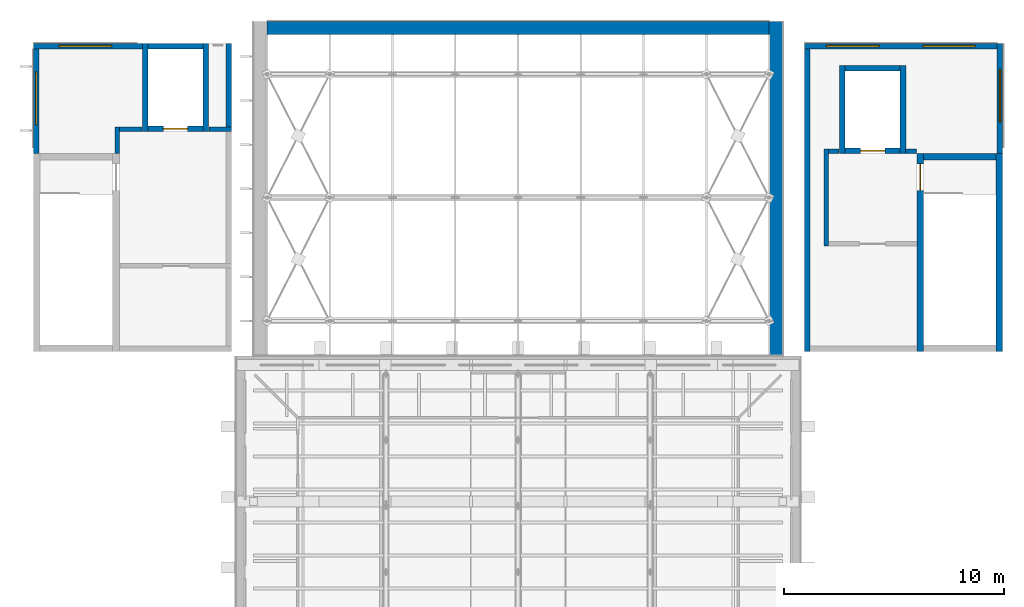
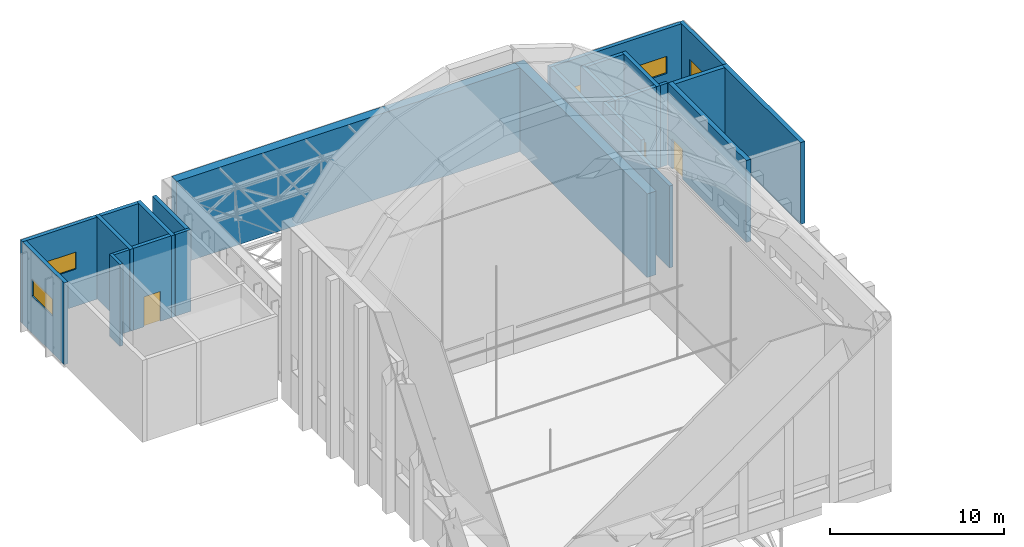
# One storey, part 47 of 55: 25 walls, 5 windows, 3 doors, 8 openings.
"""IFC4 building model written with IfcOpenShell, lengths in metres."""

import ifcopenshell
import ifcopenshell.guid

model = None  # the IFC model being written
_history = None  # IfcOwnerHistory: only IFC2X3 demands one
_inside = {}  # id of a spatial element -> (the spatial element, [elements in it])
_under = {}  # id of a project, library or spatial element -> (it, [spatial elements below it])
_declared = {}  # id of a project -> (the project, [libraries it declares])
_typed = {}  # id of a type object -> (the type object, [elements of that type])
_made_of = {}  # id of a material, layer set ... -> (it, [elements and type objects made of it])


def new_model(schema):
    """Start an empty IFC model of exactly this schema.

    Asked for "IFC4X3", IfcOpenShell would pick the latest addendum, in which some entities
    have other attributes; the version numbers below select the first issue.
    IFC2X3 requires an IfcOwnerHistory on every rooted entity: one is made here for all.
    """
    global model, _history
    if schema == "IFC4X3":
        model = ifcopenshell.file(schema_version=(4, 3, 0, 0))
    else:
        model = ifcopenshell.file(schema=schema)
    _inside.clear()
    _under.clear()
    _declared.clear()
    _typed.clear()
    _made_of.clear()
    _history = None
    if model.schema == "IFC2X3":
        org = make("IfcOrganization", Name="unknown")
        user = make(
            "IfcPersonAndOrganization",
            ThePerson=make("IfcPerson", FamilyName="unknown"),
            TheOrganization=org,
        )
        app = make(
            "IfcApplication",
            ApplicationDeveloper=org,
            Version="unknown",
            ApplicationFullName="unknown",
            ApplicationIdentifier="unknown",
        )
        _history = make(
            "IfcOwnerHistory",
            OwningUser=user,
            OwningApplication=app,
            ChangeAction="ADDED",
            CreationDate=0,
        )
    return model


def make(cls, **values):
    """One entity of the class cls with the attributes given. An attribute that is None is left unset."""
    return model.create_entity(
        cls, **{name: value for name, value in values.items() if value is not None}
    )


def rooted(cls, **values):
    """An entity with a GlobalId (a new one), such as an element, a storey or a relation."""
    return make(cls, GlobalId=ifcopenshell.guid.new(), OwnerHistory=_history, **values)


def si_unit(unit_type, name, prefix=None):
    """IfcSIUnit, for example si_unit("LENGTHUNIT", "METRE", prefix="MILLI")."""
    return make("IfcSIUnit", UnitType=unit_type, Prefix=prefix, Name=name)


def assignment(units):
    """IfcUnitAssignment: the units of a project."""
    return None if units is None else make("IfcUnitAssignment", Units=units)


def point(xyz):
    """IfcCartesianPoint."""
    return None if xyz is None else make("IfcCartesianPoint", Coordinates=xyz)


def direction(xyz):
    """IfcDirection."""
    return None if xyz is None else make("IfcDirection", DirectionRatios=xyz)


def frame(location, z_axis=None, x_axis=None):
    """IfcAxis2Placement3D, a coordinate frame: its origin and axes. An axis left out is left unset."""
    return make(
        "IfcAxis2Placement3D",
        Location=point(location),
        Axis=direction(z_axis),
        RefDirection=direction(x_axis),
    )


def frame_2d(location, x_axis=None):
    """IfcAxis2Placement2D, a coordinate frame in the plane: its origin and x axis."""
    return make(
        "IfcAxis2Placement2D", Location=point(location), RefDirection=direction(x_axis)
    )


def origin():
    """The frame at (0, 0, 0) with its axes left unset."""
    return frame((0.0, 0.0, 0.0))


def place(relative_to, where):
    """IfcLocalPlacement: puts the frame where relative to a parent placement (None: the world)."""
    return make(
        "IfcLocalPlacement", PlacementRelTo=relative_to, RelativePlacement=where
    )


def context(
    kind, dimensions, precision=None, world=None, true_north=None, identifier=None
):
    """IfcGeometricRepresentationContext, for example the 3D "Model" context."""
    return make(
        "IfcGeometricRepresentationContext",
        ContextIdentifier=identifier,
        ContextType=kind,
        CoordinateSpaceDimension=dimensions,
        Precision=precision,
        WorldCoordinateSystem=world,
        TrueNorth=true_north,
    )


def subcontext(parent, identifier, kind, view, scale=None):
    """IfcGeometricRepresentationSubContext, for example "Body" below "Model"."""
    return make(
        "IfcGeometricRepresentationSubContext",
        ContextIdentifier=identifier,
        ContextType=kind,
        ParentContext=parent,
        TargetScale=scale,
        TargetView=view,
    )


def project(units=None, contexts=None):
    """IfcProject with its units and contexts."""
    return rooted(
        "IfcProject",
        Name="project",
        RepresentationContexts=contexts,
        UnitsInContext=assignment(units),
    )


def spatial(cls, under=None, at=None, **own):
    """A site, building, storey or space (cls), placed at a placement, below another one or the project."""
    s = rooted(cls, ObjectPlacement=at, **own)
    if under is not None:
        _under.setdefault(under.id(), (under, []))[1].append(s)
    return s


def profile(cls, at=None, kind="AREA", **sizes):
    """A parametric profile (cls). Its sizes go by their IFC names, for example OverallWidth=200.0."""
    return make(cls, ProfileType=kind, Position=at, **sizes)


def rectangle(**sizes):
    """IfcRectangleProfileDef."""
    return profile("IfcRectangleProfileDef", **sizes)


def extrude(swept, where, along, depth):
    """IfcExtrudedAreaSolid: the profile swept, set in the frame where, extruded along a direction by depth."""
    return make(
        "IfcExtrudedAreaSolid",
        SweptArea=swept,
        Position=where,
        ExtrudedDirection=direction(along),
        Depth=depth,
    )


def shape(context_of_items, identifier, shape_type, items):
    """IfcShapeRepresentation: the items that make up one representation, for example the "Body"."""
    return make(
        "IfcShapeRepresentation",
        ContextOfItems=context_of_items,
        RepresentationIdentifier=identifier,
        RepresentationType=shape_type,
        Items=items,
    )


def material(Name=None, Category=None):
    """IfcMaterial."""
    return make("IfcMaterial", Name=Name, Category=Category)


def layer(
    of_material, thickness, ventilated=None, Name=None, Category=None, Priority=None
):
    """IfcMaterialLayer: one layer of a wall or slab, of a material (None: an air gap)."""
    return make(
        "IfcMaterialLayer",
        Material=of_material,
        LayerThickness=thickness,
        IsVentilated=ventilated,
        Name=Name,
        Category=Category,
        Priority=Priority,
    )


def layer_set(layers, Name=None):
    """IfcMaterialLayerSet."""
    return make("IfcMaterialLayerSet", MaterialLayers=layers, LayerSetName=Name)


def made_of(thing, what):
    """Note that an element or type object is made of a material, layer set ...; save() writes the relation."""
    if what is not None:
        _made_of.setdefault(what.id(), (what, []))[1].append(thing)
    return thing


def type_object(cls, material=None, **own):
    """A type object (cls), such as IfcWallType, which elements share."""
    return made_of(rooted(cls, **own), material)


def element(
    cls,
    number,
    at=None,
    inside=None,
    cuts=None,
    type_object=None,
    material=None,
    context=None,
    identifier="Body",
    shape_type=None,
    held_by="IfcProductDefinitionShape",
    body=None,
    shapes=None,
    **own,
):
    """One element of the class cls, such as IfcWall. Its Tag is "e" and its number.

    at: its placement. inside: the storey or other place that contains it. cuts: it is an
    opening in that element (IfcRelVoidsElement). A single representation is given by context,
    identifier, shape_type and body (its items); several are given by shapes. held_by: the class
    of the entity that holds the representations. save() writes the other relations.
    """
    e = rooted(cls, Tag="e%d" % number, ObjectPlacement=at, **own)
    if body is not None:
        shapes = [shape(context, identifier, shape_type, body)]
    if shapes is not None:
        e.Representation = make(held_by, Representations=shapes)
    if inside is not None:
        _inside.setdefault(inside.id(), (inside, []))[1].append(e)
    if cuts is not None:
        rooted(
            "IfcRelVoidsElement", RelatingBuildingElement=cuts, RelatedOpeningElement=e
        )
    if type_object is not None:
        _typed.setdefault(type_object.id(), (type_object, []))[1].append(e)
    return made_of(e, material)


def fill(opening, filler):
    """IfcRelFillsElement: the door or window that sits in an opening."""
    return rooted(
        "IfcRelFillsElement",
        RelatingOpeningElement=opening,
        RelatedBuildingElement=filler,
    )


def aggregate(whole, parts):
    """IfcRelAggregates: a whole, such as a stair, and the parts it consists of."""
    return rooted("IfcRelAggregates", RelatingObject=whole, RelatedObjects=parts)


def save(model, path):
    """Write the relations noted so far, then the file.

    IfcRelAggregates (storeys below a building ...), IfcRelContainedInSpatialStructure (elements
    in a storey), IfcRelDefinesByType, IfcRelAssociatesMaterial and IfcRelDeclares: one each for
    every whole, place, type object, material and project.
    """
    for whole, parts in _under.values():
        aggregate(whole, parts)
    for where, things in _inside.values():
        rooted(
            "IfcRelContainedInSpatialStructure",
            RelatedElements=things,
            RelatingStructure=where,
        )
    for kind, things in _typed.values():
        rooted("IfcRelDefinesByType", RelatedObjects=things, RelatingType=kind)
    for what, things in _made_of.values():
        rooted("IfcRelAssociatesMaterial", RelatedObjects=things, RelatingMaterial=what)
    for by, libraries in _declared.values():
        rooted("IfcRelDeclares", RelatingContext=by, RelatedDefinitions=libraries)
    model.write(path)


model = new_model("IFC4")

# Units and contexts
model_context = context("Model", 3, precision=1e-05, world=origin(), true_north=direction((0.0, 1.0)))
body_context = subcontext(model_context, "Body", "Model", "MODEL_VIEW")
ifc_project = project(units=[si_unit("LENGTHUNIT", "METRE"), si_unit("AREAUNIT", "SQUARE_METRE"), si_unit("VOLUMEUNIT", "CUBIC_METRE"), si_unit("PLANEANGLEUNIT", "RADIAN"), si_unit("MASSUNIT", "GRAM", prefix="KILO")], contexts=[model_context])

# Site, building, storey
site_placement = place(None, origin())
site = spatial("IfcSite", under=ifc_project, at=site_placement, CompositionType="ELEMENT")
building_placement = place(site_placement, origin())
building = spatial("IfcBuilding", under=site, at=building_placement, Name="Lunette Opera House", CompositionType="ELEMENT")
storey_placement = place(building_placement, frame((0.0, 0.0, 34.0)))
storey = spatial("IfcBuildingStorey", under=building, at=storey_placement, Name="L06", CompositionType="ELEMENT", Elevation=34.0)

# Walls
ifc_material_1 = material(Name="Concrete C35/45", Category="concrete")
ifc_layer_1 = layer(ifc_material_1, 0.199951171875)
ifc_layer_set_1 = layer_set([ifc_layer_1], Name="Concrete C35/45")
wall_type_1 = type_object("IfcWallType", Name="LOBBY WALL 200", PredefinedType="PARTITIONING", material=ifc_layer_set_1)
wall_1_placement = place(storey_placement, frame((114.080078125, 130.10009765625, 0.0), z_axis=(0.0, 0.0, 1.0), x_axis=(-1.0, 0.0, 0.0)))
element("IfcWall", 1, at=wall_1_placement, inside=storey, type_object=wall_type_1, Name="FL3 lobby wall 2a", PredefinedType="PARTITIONING", context=body_context, shape_type="SweptSolid", body=[
    extrude(rectangle(XDim=0.489990234375, YDim=0.199951171875, at=frame_2d((0.2451171875, 0.0))), origin(), (0.0, 0.0, 1.0), 5.75),
])
wall_2_placement = place(storey_placement, frame((110.580078125, 130.10009765625, 0.0), z_axis=(0.0, 0.0, 1.0), x_axis=(-1.0, 0.0, 0.0)))
element("IfcWall", 2, at=wall_2_placement, inside=storey, type_object=wall_type_1, Name="FL3 lobby wall 2b", PredefinedType="PARTITIONING", context=body_context, shape_type="SweptSolid", body=[
    extrude(rectangle(XDim=0.47998046875, YDim=0.199951171875, at=frame_2d((0.239990234375, 0.0))), origin(), (0.0, 0.0, 1.0), 5.75),
])
wall_3_placement = place(storey_placement, frame((110.0, 130.199951171875, 0.0), z_axis=(0.0, 0.0, 1.0), x_axis=(0.0, -1.0, 0.0)))
element("IfcWall", 3, at=wall_3_placement, inside=storey, type_object=wall_type_1, Name="FL3 lobby wall 3a", PredefinedType="PARTITIONING", context=body_context, shape_type="SweptSolid", body=[
    extrude(rectangle(XDim=4.39990234375, YDim=0.199951171875, at=frame_2d((2.199951171875, 0.0))), origin(), (0.0, 0.0, 1.0), 5.75),
])
for number, where, z_axis, x_axis, name in (
    (4, (83.0, 131.10009765625, 0.0), (0.0, 0.0, 1.0), (-1.0, 0.0, 0.0), "LL-SW lobby wall 2a"),
    (5, (78.929931640625, 131.10009765625, 0.0), (0.0, 0.0, 1.0), (-1.0, 0.0, 0.0), "LL-SW lobby wall 2b"),
):
    element("IfcWall", number, at=place(storey_placement, frame(where, z_axis=z_axis, x_axis=x_axis)), inside=storey, type_object=wall_type_1, Name=name, PredefinedType="PARTITIONING", context=body_context, shape_type="SweptSolid", body=[
        extrude(rectangle(XDim=1.030029296875, YDim=0.199951171875, at=frame_2d((0.51513671875, 0.0))), origin(), (0.0, 0.0, 1.0), 5.75),
    ])
wall_4_placement = place(storey_placement, frame((77.800048828125, 131.199951171875, 0.0), z_axis=(0.0, 0.0, 1.0), x_axis=(0.0, -1.0, 0.0)))
element("IfcWall", 6, at=wall_4_placement, inside=storey, type_object=wall_type_1, Name="LL-SW lobby wall 3a", PredefinedType="PARTITIONING", context=body_context, shape_type="SweptSolid", body=[
    extrude(rectangle(XDim=1.2099609375, YDim=0.199951171875, at=frame_2d((0.60498046875, 0.0))), origin(), (0.0, 0.0, 1.0), 5.75),
])
ifc_material_2 = material(Name="Concrete C35/45", Category="concrete")
ifc_layer_2 = layer(ifc_material_2, 0.25)
ifc_layer_set_2 = layer_set([ifc_layer_2], Name="Concrete C35/45")
wall_type_2 = type_object("IfcWallType", Name="RC LIFT SHAFT WALL 250", PredefinedType="SOLIDWALL", material=ifc_layer_set_2)
wall_5_placement = place(storey_placement, frame((113.47509765625, 130.0, 0.0), z_axis=(0.0, 0.0, 1.0), x_axis=(0.0, 1.0, 0.0)))
element("IfcWall", 7, at=wall_5_placement, inside=storey, type_object=wall_type_2, Name="FL3 shaft wall 1", PredefinedType="SOLIDWALL", context=body_context, shape_type="SweptSolid", body=[
    extrude(rectangle(XDim=4.0, YDim=0.25, at=frame_2d((2.0, 0.0))), origin(), (0.0, 0.0, 1.0), 5.75),
])
wall_6_placement = place(storey_placement, frame((113.35009765625, 133.875, 0.0), z_axis=(0.0, 0.0, 1.0), x_axis=(-1.0, 0.0, 0.0)))
element("IfcWall", 8, at=wall_6_placement, inside=storey, type_object=wall_type_2, Name="FL3 shaft wall 2", PredefinedType="SOLIDWALL", context=body_context, shape_type="SweptSolid", body=[
    extrude(rectangle(XDim=2.5, YDim=0.25, at=frame_2d((1.25, 0.0))), origin(), (0.0, 0.0, 1.0), 5.75),
])
wall_7_placement = place(storey_placement, frame((110.72509765625, 134.0, 0.0), z_axis=(0.0, 0.0, 1.0), x_axis=(0.0, -1.0, 0.0)))
element("IfcWall", 9, at=wall_7_placement, inside=storey, type_object=wall_type_2, Name="FL3 shaft wall 3", PredefinedType="SOLIDWALL", context=body_context, shape_type="SweptSolid", body=[
    extrude(rectangle(XDim=4.0, YDim=0.25, at=frame_2d((2.0, 0.0))), origin(), (0.0, 0.0, 1.0), 5.75),
])

# Wall, opening, door
wall_8_placement = place(storey_placement, frame((110.85009765625, 130.125, 0.0), z_axis=(0.0, 0.0, 1.0), x_axis=(1.0, 0.0, 0.0)))
wall_8 = element("IfcWall", 10, at=wall_8_placement, inside=storey, type_object=wall_type_2, Name="FL3 shaft wall 4", PredefinedType="SOLIDWALL", context=body_context, shape_type="SweptSolid", body=[
    extrude(rectangle(XDim=2.5, YDim=0.25, at=frame_2d((1.25, 0.0))), origin(), (0.0, 0.0, 1.0), 5.75),
])
opening_1_placement = place(wall_8_placement, frame((0.699951171875, 0.0, 0.0)))
opening_1 = element("IfcOpeningElement", 11, at=opening_1_placement, cuts=wall_8, Name="Opening ST-LD009", PredefinedType="OPENING", context=body_context, shape_type="SweptSolid", body=[
    extrude(rectangle(XDim=1.10009765625, YDim=2.10009765625, at=frame_2d((0.550048828125, 1.050048828125))), frame((0.0, 0.136962890625, 0.0), z_axis=(0.0, -1.0, 0.0), x_axis=(1.0, 0.0, 0.0)), (0.0, 0.0, 1.0), 0.27392578125),
])
ifc_material_3 = material(Name="Stainless steel", Category="steel")
door_type_1 = type_object("IfcDoorType", Name="LIFT LANDING DOOR 1100 X 2100", OperationType="DOUBLE_DOOR_SLIDING", PredefinedType="DOOR", material=ifc_material_3)
door_1_placement = place(opening_1_placement, origin())
door_1 = element("IfcDoor", 12, at=door_1_placement, inside=storey, type_object=door_type_1, Name="FL3 lift landing door", OperationType="DOUBLE_DOOR_SLIDING", OverallHeight=2.10009765625, OverallWidth=1.10009765625, PredefinedType="DOOR", context=body_context, shape_type="SweptSolid", body=[
    extrude(rectangle(XDim=1.10009765625, YDim=2.10009765625, at=frame_2d((0.550048828125, 1.050048828125))), frame((0.0, 0.02490234375, 0.0), z_axis=(0.0, -1.0, 0.0), x_axis=(1.0, 0.0, 0.0)), (0.0, 0.0, 1.0), 0.050048828125),
])
fill(opening_1, door_1)

# Walls
wall_9_placement = place(storey_placement, frame((81.824951171875, 131.0, 0.0), z_axis=(0.0, 0.0, 1.0), x_axis=(0.0, 1.0, 0.0)))
element("IfcWall", 13, at=wall_9_placement, inside=storey, type_object=wall_type_2, Name="LF7 shaft wall 1", PredefinedType="SOLIDWALL", context=body_context, shape_type="SweptSolid", body=[
    extrude(rectangle(XDim=4.0, YDim=0.25, at=frame_2d((2.0, 0.0))), origin(), (0.0, 0.0, 1.0), 5.75),
])
wall_10_placement = place(storey_placement, frame((81.699951171875, 134.875, 0.0), z_axis=(0.0, 0.0, 1.0), x_axis=(-1.0, 0.0, 0.0)))
element("IfcWall", 14, at=wall_10_placement, inside=storey, type_object=wall_type_2, Name="LF7 shaft wall 2", PredefinedType="SOLIDWALL", context=body_context, shape_type="SweptSolid", body=[
    extrude(rectangle(XDim=2.5, YDim=0.25, at=frame_2d((1.25, 0.0))), origin(), (0.0, 0.0, 1.0), 5.75),
])
wall_11_placement = place(storey_placement, frame((79.074951171875, 135.0, 0.0), z_axis=(0.0, 0.0, 1.0), x_axis=(0.0, -1.0, 0.0)))
element("IfcWall", 15, at=wall_11_placement, inside=storey, type_object=wall_type_2, Name="LF7 shaft wall 3", PredefinedType="SOLIDWALL", context=body_context, shape_type="SweptSolid", body=[
    extrude(rectangle(XDim=4.0, YDim=0.25, at=frame_2d((2.0, 0.0))), origin(), (0.0, 0.0, 1.0), 5.75),
])

# Wall, opening, door
wall_12_placement = place(storey_placement, frame((79.199951171875, 131.125, 0.0), z_axis=(0.0, 0.0, 1.0), x_axis=(1.0, 0.0, 0.0)))
wall_12 = element("IfcWall", 16, at=wall_12_placement, inside=storey, type_object=wall_type_2, Name="LF7 shaft wall 4", PredefinedType="SOLIDWALL", context=body_context, shape_type="SweptSolid", body=[
    extrude(rectangle(XDim=2.5, YDim=0.25, at=frame_2d((1.25, 0.0))), origin(), (0.0, 0.0, 1.0), 5.75),
])
opening_2_placement = place(wall_12_placement, frame((0.699951171875, 0.0, 0.0)))
opening_2 = element("IfcOpeningElement", 17, at=opening_2_placement, cuts=wall_12, Name="Opening ST-LD018", PredefinedType="OPENING", context=body_context, shape_type="SweptSolid", body=[
    extrude(rectangle(XDim=1.10009765625, YDim=2.10009765625, at=frame_2d((0.550048828125, 1.050048828125))), frame((0.0, 0.136962890625, 0.0), z_axis=(0.0, -1.0, 0.0), x_axis=(1.0, 0.0, 0.0)), (0.0, 0.0, 1.0), 0.27392578125),
])
door_2_placement = place(opening_2_placement, origin())
door_2 = element("IfcDoor", 18, at=door_2_placement, inside=storey, type_object=door_type_1, Name="LF7 lift landing door", OperationType="DOUBLE_DOOR_SLIDING", OverallHeight=2.10009765625, OverallWidth=1.10009765625, PredefinedType="DOOR", context=body_context, shape_type="SweptSolid", body=[
    extrude(rectangle(XDim=1.10009765625, YDim=2.10009765625, at=frame_2d((0.550048828125, 1.050048828125))), frame((0.0, 0.02490234375, 0.0), z_axis=(0.0, -1.0, 0.0), x_axis=(1.0, 0.0, 0.0)), (0.0, 0.0, 1.0), 0.050048828125),
])
fill(opening_2, door_2)

# Walls
ifc_material_4 = material(Name="Concrete C35/45", Category="concrete")
ifc_layer_3 = layer(ifc_material_4, 0.300048828125)
ifc_layer_set_3 = layer_set([ifc_layer_3], Name="Concrete C35/45")
wall_type_3 = type_object("IfcWallType", Name="RC STAIR ENCLOSURE WALL 300", PredefinedType="SOLIDWALL", material=ifc_layer_set_3)
wall_13_placement = place(storey_placement, frame((117.85009765625, 121.0, 0.0), z_axis=(0.0, 0.0, 1.0), x_axis=(0.0, 1.0, 0.0)))
element("IfcWall", 19, at=wall_13_placement, inside=storey, type_object=wall_type_3, Name="ST12 enclosure wall 1", PredefinedType="SOLIDWALL", context=body_context, shape_type="SweptSolid", body=[
    extrude(rectangle(XDim=9.0, YDim=0.300048828125, at=frame_2d((4.5, 0.0))), origin(), (0.0, 0.0, 1.0), 5.75),
])
wall_14_placement = place(storey_placement, frame((117.699951171875, 129.85009765625, 0.0), z_axis=(0.0, 0.0, 1.0), x_axis=(-1.0, 0.0, 0.0)))
element("IfcWall", 20, at=wall_14_placement, inside=storey, type_object=wall_type_3, Name="ST12 enclosure wall 2", PredefinedType="SOLIDWALL", context=body_context, shape_type="SweptSolid", body=[
    extrude(rectangle(XDim=3.300048828125, YDim=0.300048828125, at=frame_2d((1.64990234375, 0.0))), origin(), (0.0, 0.0, 1.0), 5.75),
])

# Wall, opening, door
wall_15_placement = place(storey_placement, frame((114.25, 130.0, 0.0), z_axis=(0.0, 0.0, 1.0), x_axis=(0.0, -1.0, 0.0)))
wall_15 = element("IfcWall", 21, at=wall_15_placement, inside=storey, type_object=wall_type_3, Name="ST12 enclosure wall 3", PredefinedType="SOLIDWALL", context=body_context, shape_type="SweptSolid", body=[
    extrude(rectangle(XDim=9.0, YDim=0.300048828125, at=frame_2d((4.5, 0.0))), origin(), (0.0, 0.0, 1.0), 5.75),
])
opening_3_placement = place(wall_15_placement, frame((0.47509765625, 0.0, 0.0)))
opening_3 = element("IfcOpeningElement", 22, at=opening_3_placement, cuts=wall_15, Name="Opening ST-D7018", PredefinedType="OPENING", context=body_context, shape_type="SweptSolid", body=[
    extrude(rectangle(XDim=1.199951171875, YDim=2.10009765625, at=frame_2d((0.60009765625, 1.050048828125))), frame((0.0, 0.162109375, 0.0), z_axis=(0.0, -1.0, 0.0), x_axis=(1.0, 0.0, 0.0)), (0.0, 0.0, 1.0), 0.323974609375),
])
ifc_material_5 = material(Name="Steel", Category="steel")
door_type_2 = type_object("IfcDoorType", Name="FIRE DOOR 1200 X 2100", OperationType="SINGLE_SWING_LEFT", PredefinedType="DOOR", material=ifc_material_5)
door_3_placement = place(opening_3_placement, origin())
door_3 = element("IfcDoor", 23, at=door_3_placement, inside=storey, type_object=door_type_2, Name="ST12 stair door", OperationType="SINGLE_SWING_LEFT", OverallHeight=2.10009765625, OverallWidth=1.199951171875, PredefinedType="DOOR", context=body_context, shape_type="SweptSolid", body=[
    extrude(rectangle(XDim=1.199951171875, YDim=2.10009765625, at=frame_2d((0.60009765625, 1.050048828125))), frame((0.0, 0.02490234375, 0.0), z_axis=(0.0, -1.0, 0.0), x_axis=(1.0, 0.0, 0.0)), (0.0, 0.0, 1.0), 0.050048828125),
])
fill(opening_3, door_3)

# Walls
ifc_material_6 = material(Name="Concrete C35/45", Category="concrete")
ifc_layer_4 = layer(ifc_material_6, 0.60009765625)
ifc_layer_set_4 = layer_set([ifc_layer_4], Name="Concrete C35/45")
wall_type_4 = type_object("IfcWallType", Name="RC WALL 600", PredefinedType="SHEAR", material=ifc_layer_set_4)
wall_16_placement = place(storey_placement, frame((107.699951171875, 120.800048828125, 0.0), z_axis=(0.0, 0.0, 1.0), x_axis=(0.0, 1.0, 0.0)))
element("IfcWall", 24, at=wall_16_placement, inside=storey, type_object=wall_type_4, Name="wall-ST-L06-SR-E-1", PredefinedType="SHEAR", context=body_context, shape_type="SweptSolid", body=[
    extrude(rectangle(XDim=15.199951171875, YDim=0.60009765625, at=frame_2d((7.60009765625, 0.0))), origin(), (0.0, 0.0, 1.0), 5.8798828125),
])
wall_17_placement = place(storey_placement, frame((84.60009765625, 135.699951171875, 0.0), z_axis=(0.0, 0.0, 1.0), x_axis=(1.0, 0.0, 0.0)))
element("IfcWall", 25, at=wall_17_placement, inside=storey, type_object=wall_type_4, Name="wall-ST-L06-SR-N-1", PredefinedType="SHEAR", context=body_context, shape_type="SweptSolid", body=[
    extrude(rectangle(XDim=22.7998046875, YDim=0.60009765625, at=frame_2d((11.39990234375, 0.0))), origin(), (0.0, 0.0, 1.0), 5.8798828125),
])
ifc_material_7 = material(Name="Insulated aluminium sandwich panel", Category="aluminium")
ifc_layer_5 = layer(ifc_material_7, 0.25)
ifc_layer_set_5 = layer_set([ifc_layer_5], Name="Insulated aluminium sandwich panel")
wall_type_5 = type_object("IfcWallType", Name="STAGE TOWER WALL 250", PredefinedType="SOLIDWALL", material=ifc_layer_set_5)
wall_18_placement = place(storey_placement, frame((82.875, 131.195068359375, 0.0), z_axis=(0.0, 0.0, 1.0), x_axis=(0.0, 1.0, 0.0)))
element("IfcWall", 26, at=wall_18_placement, inside=storey, type_object=wall_type_5, Name="Stage Tower Wall 250 TW-054 L06", PredefinedType="SOLIDWALL", context=body_context, shape_type="SweptSolid", body=[
    extrude(rectangle(XDim=3.804931640625, YDim=0.25, at=frame_2d((1.90234375, 0.0))), origin(), (0.0, 0.0, 1.0), 5.75),
])

# Wall, opening, window
wall_19_placement = place(storey_placement, frame((78.947998046875, 134.875, 0.0), z_axis=(0.0, 0.0, 1.0), x_axis=(-1.0, 0.0, 0.0)))
wall_19 = element("IfcWall", 27, at=wall_19_placement, inside=storey, type_object=wall_type_5, Name="Stage Tower Wall 250 TW-055 L06", PredefinedType="SOLIDWALL", context=body_context, shape_type="SweptSolid", body=[
    extrude(rectangle(XDim=4.947998046875, YDim=0.25, at=frame_2d((2.47412109375, 0.0))), origin(), (0.0, 0.0, 1.0), 5.75),
])
opening_4_placement = place(wall_19_placement, frame((1.39599609375, 0.0, 2.60009765625)))
opening_4 = element("IfcOpeningElement", 28, at=opening_4_placement, cuts=wall_19, Name="Opening ST-N2152", PredefinedType="OPENING", context=body_context, shape_type="SweptSolid", body=[
    extrude(rectangle(XDim=2.39990234375, YDim=1.199951171875, at=frame_2d((1.199951171875, 0.60009765625))), frame((0.0, 0.136962890625, 0.0), z_axis=(0.0, -1.0, 0.0), x_axis=(1.0, 0.0, 0.0)), (0.0, 0.0, 1.0), 0.27392578125),
])
ifc_material_8 = material(Name="Aluminium", Category="aluminium")
window_type = type_object("IfcWindowType", Name="TOWER RIBBON WINDOW 2400 X 1200", PartitioningType="SINGLE_PANEL", PredefinedType="WINDOW", material=ifc_material_8)
window_1_placement = place(opening_4_placement, origin())
window_1 = element("IfcWindow", 29, at=window_1_placement, inside=storey, type_object=window_type, Name="Tower Ribbon Window 2400 X 1200 TTW55-1 L06", OverallHeight=1.199951171875, OverallWidth=2.39990234375, PartitioningType="SINGLE_PANEL", PredefinedType="WINDOW", context=body_context, shape_type="SweptSolid", body=[
    extrude(rectangle(XDim=2.39990234375, YDim=1.199951171875, at=frame_2d((1.199951171875, 0.60009765625))), frame((0.0, 0.030029296875, 0.0), z_axis=(0.0, -1.0, 0.0), x_axis=(1.0, 0.0, 0.0)), (0.0, 0.0, 1.0), 0.06005859375),
])
fill(opening_4, window_1)

wall_20_placement = place(storey_placement, frame((74.125, 134.75, 0.0), z_axis=(0.0, 0.0, 1.0), x_axis=(0.0, -1.0, 0.0)))
wall_20 = element("IfcWall", 30, at=wall_20_placement, inside=storey, type_object=wall_type_5, Name="Stage Tower Wall 250 TW-056 L06", PredefinedType="SOLIDWALL", context=body_context, shape_type="SweptSolid", body=[
    extrude(rectangle(XDim=4.7548828125, YDim=0.25, at=frame_2d((2.37744140625, 0.0))), origin(), (0.0, 0.0, 1.0), 5.75),
])
opening_5_placement = place(wall_20_placement, frame((1.050048828125, 0.0, 2.60009765625)))
opening_5 = element("IfcOpeningElement", 31, at=opening_5_placement, cuts=wall_20, Name="Opening ST-N2153", PredefinedType="OPENING", context=body_context, shape_type="SweptSolid", body=[
    extrude(rectangle(XDim=2.39990234375, YDim=1.199951171875, at=frame_2d((1.199951171875, 0.60009765625))), frame((0.0, 0.136962890625, 0.0), z_axis=(0.0, -1.0, 0.0), x_axis=(1.0, 0.0, 0.0)), (0.0, 0.0, 1.0), 0.27392578125),
])
window_2_placement = place(opening_5_placement, origin())
window_2 = element("IfcWindow", 32, at=window_2_placement, inside=storey, type_object=window_type, Name="Tower Ribbon Window 2400 X 1200 TTW56-1 L06", OverallHeight=1.199951171875, OverallWidth=2.39990234375, PartitioningType="SINGLE_PANEL", PredefinedType="WINDOW", context=body_context, shape_type="SweptSolid", body=[
    extrude(rectangle(XDim=2.39990234375, YDim=1.199951171875, at=frame_2d((1.199951171875, 0.60009765625))), frame((0.0, 0.030029296875, 0.0), z_axis=(0.0, -1.0, 0.0), x_axis=(1.0, 0.0, 0.0)), (0.0, 0.0, 1.0), 0.06005859375),
])
fill(opening_5, window_2)

wall_21_placement = place(storey_placement, frame((117.875, 129.9951171875, 0.0), z_axis=(0.0, 0.0, 1.0), x_axis=(0.0, 1.0, 0.0)))
wall_21 = element("IfcWall", 33, at=wall_21_placement, inside=storey, type_object=wall_type_5, Name="Stage Tower Wall 250 TE-057 L06", PredefinedType="SOLIDWALL", context=body_context, shape_type="SweptSolid", body=[
    extrude(rectangle(XDim=5.0048828125, YDim=0.25, at=frame_2d((2.50244140625, 0.0))), origin(), (0.0, 0.0, 1.0), 5.75),
])
opening_6_placement = place(wall_21_placement, frame((1.429931640625, 0.0, 2.60009765625)))
opening_6 = element("IfcOpeningElement", 34, at=opening_6_placement, cuts=wall_21, Name="Opening ST-N2154", PredefinedType="OPENING", context=body_context, shape_type="SweptSolid", body=[
    extrude(rectangle(XDim=2.39990234375, YDim=1.199951171875, at=frame_2d((1.199951171875, 0.60009765625))), frame((0.0, 0.136962890625, 0.0), z_axis=(0.0, -1.0, 0.0), x_axis=(1.0, 0.0, 0.0)), (0.0, 0.0, 1.0), 0.27392578125),
])
window_3_placement = place(opening_6_placement, origin())
window_3 = element("IfcWindow", 35, at=window_3_placement, inside=storey, type_object=window_type, Name="Tower Ribbon Window 2400 X 1200 TTW57-1 L06", OverallHeight=1.199951171875, OverallWidth=2.39990234375, PartitioningType="SINGLE_PANEL", PredefinedType="WINDOW", context=body_context, shape_type="SweptSolid", body=[
    extrude(rectangle(XDim=2.39990234375, YDim=1.199951171875, at=frame_2d((1.199951171875, 0.60009765625))), frame((0.0, 0.030029296875, 0.0), z_axis=(0.0, -1.0, 0.0), x_axis=(1.0, 0.0, 0.0)), (0.0, 0.0, 1.0), 0.06005859375),
])
fill(opening_6, window_3)

# Wall, openings, windows
wall_22_placement = place(storey_placement, frame((117.75, 134.875, 0.0), z_axis=(0.0, 0.0, 1.0), x_axis=(-1.0, 0.0, 0.0)))
wall_22 = element("IfcWall", 36, at=wall_22_placement, inside=storey, type_object=wall_type_5, Name="Stage Tower Wall 250 TE-058 L06", PredefinedType="SOLIDWALL", context=body_context, shape_type="SweptSolid", body=[
    extrude(rectangle(XDim=8.75, YDim=0.25, at=frame_2d((4.375, 0.0))), origin(), (0.0, 0.0, 1.0), 5.75),
])
opening_7_placement = place(wall_22_placement, frame((0.988037109375, 0.0, 2.60009765625)))
opening_7 = element("IfcOpeningElement", 37, at=opening_7_placement, cuts=wall_22, Name="Opening ST-N2155", PredefinedType="OPENING", context=body_context, shape_type="SweptSolid", body=[
    extrude(rectangle(XDim=2.39990234375, YDim=1.199951171875, at=frame_2d((1.199951171875, 0.60009765625))), frame((0.0, 0.136962890625, 0.0), z_axis=(0.0, -1.0, 0.0), x_axis=(1.0, 0.0, 0.0)), (0.0, 0.0, 1.0), 0.27392578125),
])
opening_8_placement = place(wall_22_placement, frame((5.362060546875, 0.0, 2.60009765625)))
opening_8 = element("IfcOpeningElement", 38, at=opening_8_placement, cuts=wall_22, Name="Opening ST-N2156", PredefinedType="OPENING", context=body_context, shape_type="SweptSolid", body=[
    extrude(rectangle(XDim=2.39990234375, YDim=1.199951171875, at=frame_2d((1.199951171875, 0.60009765625))), frame((0.0, 0.136962890625, 0.0), z_axis=(0.0, -1.0, 0.0), x_axis=(1.0, 0.0, 0.0)), (0.0, 0.0, 1.0), 0.27392578125),
])
window_4_placement = place(opening_7_placement, origin())
window_4 = element("IfcWindow", 39, at=window_4_placement, inside=storey, type_object=window_type, Name="Tower Ribbon Window 2400 X 1200 TTW58-1 L06", OverallHeight=1.199951171875, OverallWidth=2.39990234375, PartitioningType="SINGLE_PANEL", PredefinedType="WINDOW", context=body_context, shape_type="SweptSolid", body=[
    extrude(rectangle(XDim=2.39990234375, YDim=1.199951171875, at=frame_2d((1.199951171875, 0.60009765625))), frame((0.0, 0.030029296875, 0.0), z_axis=(0.0, -1.0, 0.0), x_axis=(1.0, 0.0, 0.0)), (0.0, 0.0, 1.0), 0.06005859375),
])
fill(opening_7, window_4)
window_5_placement = place(opening_8_placement, origin())
window_5 = element("IfcWindow", 40, at=window_5_placement, inside=storey, type_object=window_type, Name="Tower Ribbon Window 2400 X 1200 TTW58-2 L06", OverallHeight=1.199951171875, OverallWidth=2.39990234375, PartitioningType="SINGLE_PANEL", PredefinedType="WINDOW", context=body_context, shape_type="SweptSolid", body=[
    extrude(rectangle(XDim=2.39990234375, YDim=1.199951171875, at=frame_2d((1.199951171875, 0.60009765625))), frame((0.0, 0.030029296875, 0.0), z_axis=(0.0, -1.0, 0.0), x_axis=(1.0, 0.0, 0.0)), (0.0, 0.0, 1.0), 0.06005859375),
])
fill(opening_8, window_5)

# Wall
wall_23_placement = place(storey_placement, frame((109.125, 134.75, 0.0), z_axis=(0.0, 0.0, 1.0), x_axis=(0.0, -1.0, 0.0)))
element("IfcWall", 41, at=wall_23_placement, inside=storey, type_object=wall_type_5, Name="Stage Tower Wall 250 TE-059 L06", PredefinedType="SOLIDWALL", context=body_context, shape_type="SweptSolid", body=[
    extrude(rectangle(XDim=13.75, YDim=0.25, at=frame_2d((6.875, 0.0))), origin(), (0.0, 0.0, 1.0), 5.75),
])

save(model, "model.ifc")
